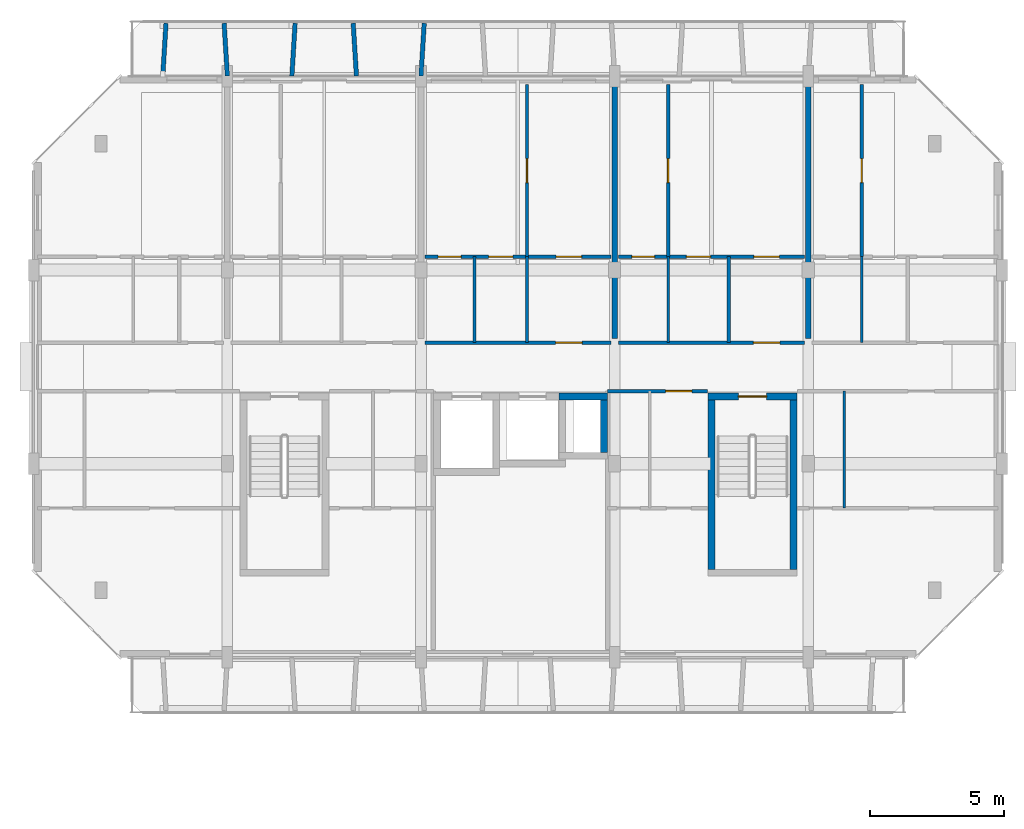
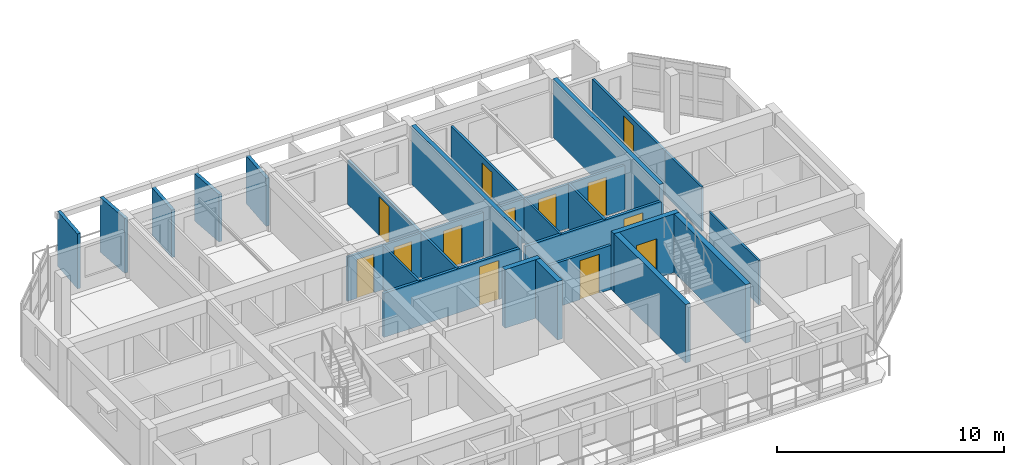
# One storey, part 20 of 40: 26 walls, 13 doors, 13 openings.
"""IFC4 building model written with IfcOpenShell, lengths in metres."""

import ifcopenshell
import ifcopenshell.guid

model = None  # the IFC model being written
_history = None  # IfcOwnerHistory: only IFC2X3 demands one
_inside = {}  # id of a spatial element -> (the spatial element, [elements in it])
_under = {}  # id of a project, library or spatial element -> (it, [spatial elements below it])
_declared = {}  # id of a project -> (the project, [libraries it declares])
_typed = {}  # id of a type object -> (the type object, [elements of that type])
_made_of = {}  # id of a material, layer set ... -> (it, [elements and type objects made of it])


def new_model(schema):
    """Start an empty IFC model of exactly this schema.

    Asked for "IFC4X3", IfcOpenShell would pick the latest addendum, in which some entities
    have other attributes; the version numbers below select the first issue.
    IFC2X3 requires an IfcOwnerHistory on every rooted entity: one is made here for all.
    """
    global model, _history
    if schema == "IFC4X3":
        model = ifcopenshell.file(schema_version=(4, 3, 0, 0))
    else:
        model = ifcopenshell.file(schema=schema)
    _inside.clear()
    _under.clear()
    _declared.clear()
    _typed.clear()
    _made_of.clear()
    _history = None
    if model.schema == "IFC2X3":
        org = make("IfcOrganization", Name="unknown")
        user = make(
            "IfcPersonAndOrganization",
            ThePerson=make("IfcPerson", FamilyName="unknown"),
            TheOrganization=org,
        )
        app = make(
            "IfcApplication",
            ApplicationDeveloper=org,
            Version="unknown",
            ApplicationFullName="unknown",
            ApplicationIdentifier="unknown",
        )
        _history = make(
            "IfcOwnerHistory",
            OwningUser=user,
            OwningApplication=app,
            ChangeAction="ADDED",
            CreationDate=0,
        )
    return model


def make(cls, **values):
    """One entity of the class cls with the attributes given. An attribute that is None is left unset."""
    return model.create_entity(
        cls, **{name: value for name, value in values.items() if value is not None}
    )


def rooted(cls, **values):
    """An entity with a GlobalId (a new one), such as an element, a storey or a relation."""
    return make(cls, GlobalId=ifcopenshell.guid.new(), OwnerHistory=_history, **values)


def si_unit(unit_type, name, prefix=None):
    """IfcSIUnit, for example si_unit("LENGTHUNIT", "METRE", prefix="MILLI")."""
    return make("IfcSIUnit", UnitType=unit_type, Prefix=prefix, Name=name)


def assignment(units):
    """IfcUnitAssignment: the units of a project."""
    return None if units is None else make("IfcUnitAssignment", Units=units)


def point(xyz):
    """IfcCartesianPoint."""
    return None if xyz is None else make("IfcCartesianPoint", Coordinates=xyz)


def direction(xyz):
    """IfcDirection."""
    return None if xyz is None else make("IfcDirection", DirectionRatios=xyz)


def frame(location, z_axis=None, x_axis=None):
    """IfcAxis2Placement3D, a coordinate frame: its origin and axes. An axis left out is left unset."""
    return make(
        "IfcAxis2Placement3D",
        Location=point(location),
        Axis=direction(z_axis),
        RefDirection=direction(x_axis),
    )


def frame_2d(location, x_axis=None):
    """IfcAxis2Placement2D, a coordinate frame in the plane: its origin and x axis."""
    return make(
        "IfcAxis2Placement2D", Location=point(location), RefDirection=direction(x_axis)
    )


def origin():
    """The frame at (0, 0, 0) with its axes left unset."""
    return frame((0.0, 0.0, 0.0))


def place(relative_to, where):
    """IfcLocalPlacement: puts the frame where relative to a parent placement (None: the world)."""
    return make(
        "IfcLocalPlacement", PlacementRelTo=relative_to, RelativePlacement=where
    )


def context(
    kind, dimensions, precision=None, world=None, true_north=None, identifier=None
):
    """IfcGeometricRepresentationContext, for example the 3D "Model" context."""
    return make(
        "IfcGeometricRepresentationContext",
        ContextIdentifier=identifier,
        ContextType=kind,
        CoordinateSpaceDimension=dimensions,
        Precision=precision,
        WorldCoordinateSystem=world,
        TrueNorth=true_north,
    )


def subcontext(parent, identifier, kind, view, scale=None):
    """IfcGeometricRepresentationSubContext, for example "Body" below "Model"."""
    return make(
        "IfcGeometricRepresentationSubContext",
        ContextIdentifier=identifier,
        ContextType=kind,
        ParentContext=parent,
        TargetScale=scale,
        TargetView=view,
    )


def project(units=None, contexts=None):
    """IfcProject with its units and contexts."""
    return rooted(
        "IfcProject",
        Name="project",
        RepresentationContexts=contexts,
        UnitsInContext=assignment(units),
    )


def spatial(cls, under=None, at=None, **own):
    """A site, building, storey or space (cls), placed at a placement, below another one or the project."""
    s = rooted(cls, ObjectPlacement=at, **own)
    if under is not None:
        _under.setdefault(under.id(), (under, []))[1].append(s)
    return s


def profile(cls, at=None, kind="AREA", **sizes):
    """A parametric profile (cls). Its sizes go by their IFC names, for example OverallWidth=200.0."""
    return make(cls, ProfileType=kind, Position=at, **sizes)


def rectangle(**sizes):
    """IfcRectangleProfileDef."""
    return profile("IfcRectangleProfileDef", **sizes)


def extrude(swept, where, along, depth):
    """IfcExtrudedAreaSolid: the profile swept, set in the frame where, extruded along a direction by depth."""
    return make(
        "IfcExtrudedAreaSolid",
        SweptArea=swept,
        Position=where,
        ExtrudedDirection=direction(along),
        Depth=depth,
    )


def shape(context_of_items, identifier, shape_type, items):
    """IfcShapeRepresentation: the items that make up one representation, for example the "Body"."""
    return make(
        "IfcShapeRepresentation",
        ContextOfItems=context_of_items,
        RepresentationIdentifier=identifier,
        RepresentationType=shape_type,
        Items=items,
    )


def material(Name=None, Category=None):
    """IfcMaterial."""
    return make("IfcMaterial", Name=Name, Category=Category)


def layer(
    of_material, thickness, ventilated=None, Name=None, Category=None, Priority=None
):
    """IfcMaterialLayer: one layer of a wall or slab, of a material (None: an air gap)."""
    return make(
        "IfcMaterialLayer",
        Material=of_material,
        LayerThickness=thickness,
        IsVentilated=ventilated,
        Name=Name,
        Category=Category,
        Priority=Priority,
    )


def layer_set(layers, Name=None):
    """IfcMaterialLayerSet."""
    return make("IfcMaterialLayerSet", MaterialLayers=layers, LayerSetName=Name)


def made_of(thing, what):
    """Note that an element or type object is made of a material, layer set ...; save() writes the relation."""
    if what is not None:
        _made_of.setdefault(what.id(), (what, []))[1].append(thing)
    return thing


def type_object(cls, material=None, **own):
    """A type object (cls), such as IfcWallType, which elements share."""
    return made_of(rooted(cls, **own), material)


def element(
    cls,
    number,
    at=None,
    inside=None,
    cuts=None,
    type_object=None,
    material=None,
    context=None,
    identifier="Body",
    shape_type=None,
    held_by="IfcProductDefinitionShape",
    body=None,
    shapes=None,
    **own,
):
    """One element of the class cls, such as IfcWall. Its Tag is "e" and its number.

    at: its placement. inside: the storey or other place that contains it. cuts: it is an
    opening in that element (IfcRelVoidsElement). A single representation is given by context,
    identifier, shape_type and body (its items); several are given by shapes. held_by: the class
    of the entity that holds the representations. save() writes the other relations.
    """
    e = rooted(cls, Tag="e%d" % number, ObjectPlacement=at, **own)
    if body is not None:
        shapes = [shape(context, identifier, shape_type, body)]
    if shapes is not None:
        e.Representation = make(held_by, Representations=shapes)
    if inside is not None:
        _inside.setdefault(inside.id(), (inside, []))[1].append(e)
    if cuts is not None:
        rooted(
            "IfcRelVoidsElement", RelatingBuildingElement=cuts, RelatedOpeningElement=e
        )
    if type_object is not None:
        _typed.setdefault(type_object.id(), (type_object, []))[1].append(e)
    return made_of(e, material)


def fill(opening, filler):
    """IfcRelFillsElement: the door or window that sits in an opening."""
    return rooted(
        "IfcRelFillsElement",
        RelatingOpeningElement=opening,
        RelatedBuildingElement=filler,
    )


def aggregate(whole, parts):
    """IfcRelAggregates: a whole, such as a stair, and the parts it consists of."""
    return rooted("IfcRelAggregates", RelatingObject=whole, RelatedObjects=parts)


def save(model, path):
    """Write the relations noted so far, then the file.

    IfcRelAggregates (storeys below a building ...), IfcRelContainedInSpatialStructure (elements
    in a storey), IfcRelDefinesByType, IfcRelAssociatesMaterial and IfcRelDeclares: one each for
    every whole, place, type object, material and project.
    """
    for whole, parts in _under.values():
        aggregate(whole, parts)
    for where, things in _inside.values():
        rooted(
            "IfcRelContainedInSpatialStructure",
            RelatedElements=things,
            RelatingStructure=where,
        )
    for kind, things in _typed.values():
        rooted("IfcRelDefinesByType", RelatedObjects=things, RelatingType=kind)
    for what, things in _made_of.values():
        rooted("IfcRelAssociatesMaterial", RelatedObjects=things, RelatingMaterial=what)
    for by, libraries in _declared.values():
        rooted("IfcRelDeclares", RelatingContext=by, RelatedDefinitions=libraries)
    model.write(path)


model = new_model("IFC4")

# Units and contexts
model_context = context("Model", 3, precision=1e-05, world=origin(), true_north=direction((0.0, 1.0)))
body_context = subcontext(model_context, "Body", "Model", "MODEL_VIEW")
ifc_project = project(units=[si_unit("LENGTHUNIT", "METRE"), si_unit("AREAUNIT", "SQUARE_METRE"), si_unit("VOLUMEUNIT", "CUBIC_METRE"), si_unit("PLANEANGLEUNIT", "RADIAN"), si_unit("MASSUNIT", "GRAM", prefix="KILO")], contexts=[model_context])

# Site, building, storey
site_placement = place(None, origin())
site = spatial("IfcSite", under=ifc_project, at=site_placement, CompositionType="ELEMENT")
building_placement = place(site_placement, origin())
building = spatial("IfcBuilding", under=site, at=building_placement, Name="Ochrevale Crest", CompositionType="ELEMENT")
storey_placement = place(building_placement, frame((0.0, 0.0, 27.60009765625)))
storey = spatial("IfcBuildingStorey", under=building, at=storey_placement, Name="L08", CompositionType="ELEMENT", Elevation=27.60009765625)

# Wall, opening, door
ifc_material_1 = material(Name="Gypsum plasterboard", Category="gypsum")
ifc_layer_1 = layer(ifc_material_1, 0.139892578125)
ifc_layer_set_1 = layer_set([ifc_layer_1], Name="Gypsum plasterboard")
wall_type_1 = type_object("IfcWallType", Name="WL-COR-140", PredefinedType="PARTITIONING", material=ifc_layer_set_1)
wall_1_placement = place(storey_placement, frame((14.5400390625, 83.699951171875, 0.0), z_axis=(0.0, 0.0, 1.0), x_axis=(1.0, 0.0, 0.0)))
wall_1 = element("IfcWall", 1, at=wall_1_placement, inside=storey, type_object=wall_type_1, Name="Apartment B-L08-U3 corridor wall", PredefinedType="PARTITIONING", context=body_context, shape_type="SweptSolid", body=[
    extrude(rectangle(XDim=6.919921875, YDim=0.139892578125, at=frame_2d((3.4599609375, 0.0))), origin(), (0.0, 0.0, 1.0), 2.3798828125),
])
opening_1_placement = place(wall_1_placement, frame((5.85009765625, 0.0, 0.0), z_axis=(0.0, 0.0, 1.0), x_axis=(-1.0, 0.0, 0.0)))
opening_1 = element("IfcOpeningElement", 2, at=opening_1_placement, cuts=wall_1, Name="Opening FD01", PredefinedType="OPENING", context=body_context, shape_type="SweptSolid", body=[
    extrude(rectangle(XDim=0.97998046875, YDim=2.10009765625, at=frame_2d((0.489990234375, 1.050048828125))), frame((0.0, 0.080078125, 0.0), z_axis=(0.0, -1.0, 0.0), x_axis=(1.0, 0.0, 0.0)), (0.0, 0.0, 1.0), 0.159912109375),
])
ifc_material_2 = material(Name="Solid-core FSC hardwood", Category="wood")
door_type_1 = type_object("IfcDoorType", Name="DR-APT-950", OperationType="NOTDEFINED", PredefinedType="DOOR", material=ifc_material_2)
door_1_placement = place(opening_1_placement, origin())
door_1 = element("IfcDoor", 3, at=door_1_placement, inside=storey, type_object=door_type_1, Name="Apartment B-L08-U3 entrance door", OperationType="SINGLE_SWING_RIGHT", OverallHeight=2.10009765625, OverallWidth=0.97998046875, PredefinedType="DOOR", context=body_context, shape_type="SweptSolid", body=[
    extrude(rectangle(XDim=0.97998046875, YDim=2.10009765625, at=frame_2d((0.489990234375, 1.050048828125))), frame((0.0, 0.02490234375, 0.0), z_axis=(0.0, -1.0, 0.0), x_axis=(1.0, 0.0, 0.0)), (0.0, 0.0, 1.0), 0.050048828125),
])
fill(opening_1, door_1)

wall_2_placement = place(storey_placement, frame((21.739990234375, 83.699951171875, 0.0), z_axis=(0.0, 0.0, 1.0), x_axis=(1.0, 0.0, 0.0)))
wall_2 = element("IfcWall", 4, at=wall_2_placement, inside=storey, type_object=wall_type_1, Name="Apartment B-L08-U4 corridor wall", PredefinedType="PARTITIONING", context=body_context, shape_type="SweptSolid", body=[
    extrude(rectangle(XDim=6.919921875, YDim=0.139892578125, at=frame_2d((3.4599609375, 0.0))), origin(), (0.0, 0.0, 1.0), 2.3798828125),
])
opening_2_placement = place(wall_2_placement, frame((5.02001953125, 0.0, 0.0)))
opening_2 = element("IfcOpeningElement", 5, at=opening_2_placement, cuts=wall_2, Name="Opening FD01", PredefinedType="OPENING", context=body_context, shape_type="SweptSolid", body=[
    extrude(rectangle(XDim=0.97998046875, YDim=2.10009765625, at=frame_2d((0.489990234375, 1.050048828125))), frame((0.0, 0.080078125, 0.0), z_axis=(0.0, -1.0, 0.0), x_axis=(1.0, 0.0, 0.0)), (0.0, 0.0, 1.0), 0.159912109375),
])
door_2_placement = place(opening_2_placement, origin())
door_2 = element("IfcDoor", 6, at=door_2_placement, inside=storey, type_object=door_type_1, Name="Apartment B-L08-U4 entrance door", OperationType="SINGLE_SWING_LEFT", OverallHeight=2.10009765625, OverallWidth=0.97998046875, PredefinedType="DOOR", context=body_context, shape_type="SweptSolid", body=[
    extrude(rectangle(XDim=0.97998046875, YDim=2.10009765625, at=frame_2d((0.489990234375, 1.050048828125))), frame((0.0, 0.02490234375, 0.0), z_axis=(0.0, -1.0, 0.0), x_axis=(1.0, 0.0, 0.0)), (0.0, 0.0, 1.0), 0.050048828125),
])
fill(opening_2, door_2)

wall_3_placement = place(storey_placement, frame((21.340087890625, 81.89990234375, 0.0), z_axis=(0.0, 0.0, 1.0), x_axis=(1.0, 0.0, 0.0)))
wall_3 = element("IfcWall", 7, at=wall_3_placement, inside=storey, type_object=wall_type_1, Name="Suite B-L08-ME corridor wall", PredefinedType="PARTITIONING", context=body_context, shape_type="SweptSolid", body=[
    extrude(rectangle(XDim=3.719970703125, YDim=0.139892578125, at=frame_2d((1.85986328125, 0.0))), origin(), (0.0, 0.0, 1.0), 2.3798828125),
])
opening_3_placement = place(wall_3_placement, frame((2.151123046875, 0.0, 0.0)))
opening_3 = element("IfcOpeningElement", 8, at=opening_3_placement, cuts=wall_3, Name="Opening FD01", PredefinedType="OPENING", context=body_context, shape_type="SweptSolid", body=[
    extrude(rectangle(XDim=0.97998046875, YDim=2.10009765625, at=frame_2d((0.489990234375, 1.050048828125))), frame((0.0, 0.080078125, 0.0), z_axis=(0.0, -1.0, 0.0), x_axis=(1.0, 0.0, 0.0)), (0.0, 0.0, 1.0), 0.159912109375),
])
door_3_placement = place(opening_3_placement, origin())
door_3 = element("IfcDoor", 9, at=door_3_placement, inside=storey, type_object=door_type_1, Name="Suite B-L08-ME entrance door", OperationType="SINGLE_SWING_LEFT", OverallHeight=2.10009765625, OverallWidth=0.97998046875, PredefinedType="DOOR", context=body_context, shape_type="SweptSolid", body=[
    extrude(rectangle(XDim=0.97998046875, YDim=2.10009765625, at=frame_2d((0.489990234375, 1.050048828125))), frame((0.0, 0.02490234375, 0.0), z_axis=(0.0, -1.0, 0.0), x_axis=(1.0, 0.0, 0.0)), (0.0, 0.0, 1.0), 0.050048828125),
])
fill(opening_3, door_3)

ifc_material_3 = material(Name="Precast concrete C50/60", Category="concrete")
ifc_layer_2 = layer(ifc_material_3, 0.2548828125)
ifc_layer_set_2 = layer_set([ifc_layer_2], Name="Precast concrete C50/60")
wall_type_2 = type_object("IfcWallType", Name="WL-CORE-255", PredefinedType="SHEAR", material=ifc_layer_set_2)
wall_4_placement = place(storey_placement, frame((25.072509765625, 81.699951171875, 0.0), z_axis=(0.0, 0.0, 1.0), x_axis=(1.0, 0.0, 0.0)))
wall_4 = element("IfcWall", 10, at=wall_4_placement, inside=storey, type_object=wall_type_2, Name="Block B L08 Stair 2 precast core shear wall N", PredefinedType="SHEAR", context=body_context, shape_type="SweptSolid", body=[
    extrude(rectangle(XDim=3.304931640625, YDim=0.2548828125, at=frame_2d((1.65234375, 0.0))), origin(), (0.0, 0.0, 1.0), 3.14990234375),
])
opening_4_placement = place(wall_4_placement, frame((1.12744140625, 0.0, 0.0)))
opening_4 = element("IfcOpeningElement", 11, at=opening_4_placement, cuts=wall_4, Name="Opening FD03", PredefinedType="OPENING", context=body_context, shape_type="SweptSolid", body=[
    extrude(rectangle(XDim=1.050048828125, YDim=2.1201171875, at=frame_2d((0.52490234375, 1.06005859375))), frame((0.0, 0.137451171875, 0.0), z_axis=(0.0, -1.0, 0.0), x_axis=(1.0, 0.0, 0.0)), (0.0, 0.0, 1.0), 0.27490234375),
])
door_type_2 = type_object("IfcDoorType", Name="DR-ST-1050", OperationType="NOTDEFINED", PredefinedType="DOOR", material=ifc_material_2)
door_4_placement = place(opening_4_placement, origin())
door_4 = element("IfcDoor", 12, at=door_4_placement, inside=storey, type_object=door_type_2, Name="Block B L08 fire stair 2 door", OperationType="SINGLE_SWING_LEFT", OverallHeight=2.1201171875, OverallWidth=1.050048828125, PredefinedType="DOOR", context=body_context, shape_type="SweptSolid", body=[
    extrude(rectangle(XDim=1.050048828125, YDim=2.1201171875, at=frame_2d((0.52490234375, 1.06005859375))), frame((0.0, 0.02490234375, 0.0), z_axis=(0.0, -1.0, 0.0), x_axis=(1.0, 0.0, 0.0)), (0.0, 0.0, 1.0), 0.050048828125),
])
fill(opening_4, door_4)

# Walls
for number, where, z_axis, x_axis, name in (
    (13, (25.199951171875, 75.277587890625, 0.0), (0.0, 0.0, 1.0), (0.0, 1.0, 0.0), "Block B L08 Stair 2 precast core shear wall W"),
    (14, (28.25, 75.277587890625, 0.0), (0.0, 0.0, 1.0), (0.0, 1.0, 0.0), "Block B L08 Stair 2 precast core shear wall E"),
):
    element("IfcWall", number, at=place(storey_placement, frame(where, z_axis=z_axis, x_axis=x_axis)), inside=storey, type_object=wall_type_2, Name=name, PredefinedType="SHEAR", context=body_context, shape_type="SweptSolid", body=[
        extrude(rectangle(XDim=6.294921875, YDim=0.2548828125, at=frame_2d((3.1474609375, 0.0))), origin(), (0.0, 0.0, 1.0), 3.14990234375),
    ])
wall_5_placement = place(storey_placement, frame((19.5224609375, 81.699951171875, 0.0), z_axis=(0.0, 0.0, 1.0), x_axis=(1.0, 0.0, 0.0)))
element("IfcWall", 15, at=wall_5_placement, inside=storey, type_object=wall_type_2, Name="Block B L08 services riser shaft core wall N", PredefinedType="SHEAR", context=body_context, shape_type="SweptSolid", body=[
    extrude(rectangle(XDim=1.804931640625, YDim=0.2548828125, at=frame_2d((0.90234375, 0.0))), origin(), (0.0, 0.0, 1.0), 3.14990234375),
])
wall_6_placement = place(storey_placement, frame((21.199951171875, 79.62744140625, 0.0), z_axis=(0.0, 0.0, 1.0), x_axis=(0.0, 1.0, 0.0)))
element("IfcWall", 16, at=wall_6_placement, inside=storey, type_object=wall_type_2, Name="Block B L08 services riser shaft core wall E", PredefinedType="SHEAR", context=body_context, shape_type="SweptSolid", body=[
    extrude(rectangle(XDim=1.945068359375, YDim=0.2548828125, at=frame_2d((0.97265625, 0.0))), origin(), (0.0, 0.0, 1.0), 3.14990234375),
])
ifc_material_4 = material(Name="Precast concrete C40/50", Category="concrete")
ifc_layer_3 = layer(ifc_material_4, 0.1650390625)
ifc_layer_set_3 = layer_set([ifc_layer_3], Name="Precast concrete C40/50")
wall_type_3 = type_object("IfcWallType", Name="WL-HC-CHEEK-165", PredefinedType="ELEMENTEDWALL", material=ifc_layer_set_3)
for number, where, z_axis, x_axis, name in (
    (17, (4.800048828125, 93.6201171875, 0.0), (0.0, 0.0, 1.0), (0.061046865508, 0.998134900808, 0.0), "Block B L08 N precast honeycomb cheek 1"),
    (18, (7.199951171875, 93.6201171875, 0.0), (0.0, 0.0, 1.0), (-0.061046865508, 0.998134900808, 0.0), "Block B L08 N precast honeycomb cheek 2"),
):
    element("IfcWall", number, at=place(storey_placement, frame(where, z_axis=z_axis, x_axis=x_axis)), inside=storey, type_object=wall_type_3, Name=name, PredefinedType="ELEMENTEDWALL", context=body_context, shape_type="SweptSolid", body=[
        extrude(rectangle(XDim=1.963623046875, YDim=0.1650390625, at=frame_2d((0.98193359375, 0.0))), origin(), (0.0, 0.0, 1.0), 2.949951171875),
    ])
for number, where, z_axis, x_axis, name in (
    (19, (9.60009765625, 93.6201171875, 0.0), (0.0, 0.0, 1.0), (0.061046865508, 0.998134900808, 0.0), "Block B L08 N precast honeycomb cheek 3"),
    (20, (12.0, 93.6201171875, 0.0), (0.0, 0.0, 1.0), (-0.061170732449, 0.998127317276, 0.0), "Block B L08 N precast honeycomb cheek 4"),
):
    element("IfcWall", number, at=place(storey_placement, frame(where, z_axis=z_axis, x_axis=x_axis)), inside=storey, type_object=wall_type_3, Name=name, PredefinedType="ELEMENTEDWALL", context=body_context, shape_type="SweptSolid", body=[
        extrude(rectangle(XDim=1.963623046875, YDim=0.1650390625, at=frame_2d((0.98193359375, 0.0))), origin(), (0.0, 0.0, 1.0), 2.5498046875),
    ])
wall_7_placement = place(storey_placement, frame((14.39990234375, 93.6201171875, 0.0), z_axis=(0.0, 0.0, 1.0), x_axis=(0.061170732449, 0.998127317276, 0.0)))
element("IfcWall", 21, at=wall_7_placement, inside=storey, type_object=wall_type_3, Name="Block B L08 N precast honeycomb cheek 5", PredefinedType="ELEMENTEDWALL", context=body_context, shape_type="SweptSolid", body=[
    extrude(rectangle(XDim=1.963623046875, YDim=0.1650390625, at=frame_2d((0.98193359375, 0.0))), origin(), (0.0, 0.0, 1.0), 2.579833984375),
])
ifc_layer_4 = layer(ifc_material_1, 0.1201171875)
ifc_layer_set_4 = layer_set([ifc_layer_4], Name="Gypsum plasterboard")
wall_type_4 = type_object("IfcWallType", Name="WL-PART-120", PredefinedType="PARTITIONING", material=ifc_layer_set_4)
wall_8_placement = place(storey_placement, frame((18.340087890625, 83.699951171875, 0.0), z_axis=(0.0, 0.0, 1.0), x_axis=(0.0, 1.0, 0.0)))
element("IfcWall", 22, at=wall_8_placement, inside=storey, type_object=wall_type_4, Name="Apartment B-L08-U3 kitchen-foyer wall", PredefinedType="PARTITIONING", context=body_context, shape_type="SweptSolid", body=[
    extrude(rectangle(XDim=3.199951171875, YDim=0.1201171875, at=frame_2d((1.60009765625, 0.0))), origin(), (0.0, 0.0, 1.0), 2.3798828125),
])

# Wall, openings, doors
wall_9_placement = place(storey_placement, frame((14.5400390625, 86.89990234375, 0.0), z_axis=(0.0, 0.0, 1.0), x_axis=(1.0, 0.0, 0.0)))
wall_9 = element("IfcWall", 23, at=wall_9_placement, inside=storey, type_object=wall_type_4, Name="Apartment B-L08-U3 central partition", PredefinedType="PARTITIONING", context=body_context, shape_type="SweptSolid", body=[
    extrude(rectangle(XDim=6.919921875, YDim=0.1201171875, at=frame_2d((3.4599609375, 0.0))), origin(), (0.0, 0.0, 1.0), 2.3798828125),
])
opening_5_placement = place(wall_9_placement, frame((0.5, 0.0, 0.0)))
opening_5 = element("IfcOpeningElement", 24, at=opening_5_placement, cuts=wall_9, Name="Opening ID01", PredefinedType="OPENING", context=body_context, shape_type="SweptSolid", body=[
    extrude(rectangle(XDim=0.85009765625, YDim=2.080078125, at=frame_2d((0.425048828125, 1.0400390625))), frame((0.0, 0.070068359375, 0.0), z_axis=(0.0, -1.0, 0.0), x_axis=(1.0, 0.0, 0.0)), (0.0, 0.0, 1.0), 0.14013671875),
])
opening_6_placement = place(wall_9_placement, frame((3.27490234375, 0.0, 0.0), z_axis=(0.0, 0.0, 1.0), x_axis=(-1.0, 0.0, 0.0)))
opening_6 = element("IfcOpeningElement", 25, at=opening_6_placement, cuts=wall_9, Name="Opening ID02", PredefinedType="OPENING", context=body_context, shape_type="SweptSolid", body=[
    extrude(rectangle(XDim=0.89990234375, YDim=2.080078125, at=frame_2d((0.449951171875, 1.0400390625))), frame((0.0, 0.070068359375, 0.0), z_axis=(0.0, -1.0, 0.0), x_axis=(1.0, 0.0, 0.0)), (0.0, 0.0, 1.0), 0.14013671875),
])
opening_7_placement = place(wall_9_placement, frame((4.885009765625, 0.0, 0.0)))
opening_7 = element("IfcOpeningElement", 26, at=opening_7_placement, cuts=wall_9, Name="Opening ID06", PredefinedType="OPENING", context=body_context, shape_type="SweptSolid", body=[
    extrude(rectangle(XDim=0.949951171875, YDim=2.080078125, at=frame_2d((0.47509765625, 1.0400390625))), frame((0.0, 0.070068359375, 0.0), z_axis=(0.0, -1.0, 0.0), x_axis=(1.0, 0.0, 0.0)), (0.0, 0.0, 1.0), 0.14013671875),
])
door_type_3 = type_object("IfcDoorType", Name="DR-INT-900", OperationType="NOTDEFINED", PredefinedType="DOOR", material=ifc_material_2)
door_5_placement = place(opening_6_placement, origin())
door_5 = element("IfcDoor", 27, at=door_5_placement, inside=storey, type_object=door_type_3, Name="Apartment B-L08-U3 Kitchen door", OperationType="SINGLE_SWING_RIGHT", OverallHeight=2.080078125, OverallWidth=0.89990234375, PredefinedType="DOOR", context=body_context, shape_type="SweptSolid", body=[
    extrude(rectangle(XDim=0.89990234375, YDim=2.080078125, at=frame_2d((0.449951171875, 1.0400390625))), frame((0.0, 0.02490234375, 0.0), z_axis=(0.0, -1.0, 0.0), x_axis=(1.0, 0.0, 0.0)), (0.0, 0.0, 1.0), 0.050048828125),
])
fill(opening_6, door_5)
door_type_4 = type_object("IfcDoorType", Name="DR-INT-950", OperationType="NOTDEFINED", PredefinedType="DOOR", material=ifc_material_2)
door_6_placement = place(opening_7_placement, origin())
door_6 = element("IfcDoor", 28, at=door_6_placement, inside=storey, type_object=door_type_4, Name="Apartment B-L08-U3 Living Foyer door", OperationType="SINGLE_SWING_LEFT", OverallHeight=2.080078125, OverallWidth=0.949951171875, PredefinedType="DOOR", context=body_context, shape_type="SweptSolid", body=[
    extrude(rectangle(XDim=0.949951171875, YDim=2.080078125, at=frame_2d((0.47509765625, 1.0400390625))), frame((0.0, 0.02490234375, 0.0), z_axis=(0.0, -1.0, 0.0), x_axis=(1.0, 0.0, 0.0)), (0.0, 0.0, 1.0), 0.050048828125),
])
fill(opening_7, door_6)
door_type_5 = type_object("IfcDoorType", Name="DR-WC-850", OperationType="NOTDEFINED", PredefinedType="DOOR", material=ifc_material_2)
door_7_placement = place(opening_5_placement, origin())
door_7 = element("IfcDoor", 29, at=door_7_placement, inside=storey, type_object=door_type_5, Name="Apartment B-L08-U3 Bathroom door", OperationType="SINGLE_SWING_LEFT", OverallHeight=2.080078125, OverallWidth=0.85009765625, PredefinedType="DOOR", context=body_context, shape_type="SweptSolid", body=[
    extrude(rectangle(XDim=0.85009765625, YDim=2.080078125, at=frame_2d((0.425048828125, 1.0400390625))), frame((0.0, 0.02490234375, 0.0), z_axis=(0.0, -1.0, 0.0), x_axis=(1.0, 0.0, 0.0)), (0.0, 0.0, 1.0), 0.050048828125),
])
fill(opening_5, door_7)

# Wall, opening, door
wall_10_placement = place(storey_placement, frame((18.340087890625, 86.89990234375, 0.0), z_axis=(0.0, 0.0, 1.0), x_axis=(0.0, 1.0, 0.0)))
wall_10 = element("IfcWall", 30, at=wall_10_placement, inside=storey, type_object=wall_type_4, Name="Apartment B-L08-U3 bedroom partition", PredefinedType="PARTITIONING", context=body_context, shape_type="SweptSolid", body=[
    extrude(rectangle(XDim=6.400146484375, YDim=0.1201171875, at=frame_2d((3.2001953125, 0.0))), origin(), (0.0, 0.0, 1.0), 2.3798828125),
])
opening_8_placement = place(wall_10_placement, frame((3.64990234375, 0.0, 0.0), z_axis=(0.0, 0.0, 1.0), x_axis=(-1.0, 0.0, 0.0)))
opening_8 = element("IfcOpeningElement", 31, at=opening_8_placement, cuts=wall_10, Name="Opening ID02", PredefinedType="OPENING", context=body_context, shape_type="SweptSolid", body=[
    extrude(rectangle(XDim=0.89990234375, YDim=2.080078125, at=frame_2d((0.449951171875, 1.0400390625))), frame((0.0, 0.070068359375, 0.0), z_axis=(0.0, -1.0, 0.0), x_axis=(1.0, 0.0, 0.0)), (0.0, 0.0, 1.0), 0.14013671875),
])
door_8_placement = place(opening_8_placement, origin())
door_8 = element("IfcDoor", 32, at=door_8_placement, inside=storey, type_object=door_type_3, Name="Apartment B-L08-U3 Master Bedroom door", OperationType="SINGLE_SWING_RIGHT", OverallHeight=2.080078125, OverallWidth=0.89990234375, PredefinedType="DOOR", context=body_context, shape_type="SweptSolid", body=[
    extrude(rectangle(XDim=0.89990234375, YDim=2.080078125, at=frame_2d((0.449951171875, 1.0400390625))), frame((0.0, 0.02490234375, 0.0), z_axis=(0.0, -1.0, 0.0), x_axis=(1.0, 0.0, 0.0)), (0.0, 0.0, 1.0), 0.050048828125),
])
fill(opening_8, door_8)

# Wall
wall_11_placement = place(storey_placement, frame((25.840087890625, 83.699951171875, 0.0), z_axis=(0.0, 0.0, 1.0), x_axis=(0.0, 1.0, 0.0)))
element("IfcWall", 33, at=wall_11_placement, inside=storey, type_object=wall_type_4, Name="Apartment B-L08-U4 kitchen-foyer wall", PredefinedType="PARTITIONING", context=body_context, shape_type="SweptSolid", body=[
    extrude(rectangle(XDim=3.199951171875, YDim=0.1201171875, at=frame_2d((1.60009765625, 0.0))), origin(), (0.0, 0.0, 1.0), 2.3798828125),
])

# Wall, openings, doors
wall_12_placement = place(storey_placement, frame((21.739990234375, 86.89990234375, 0.0), z_axis=(0.0, 0.0, 1.0), x_axis=(1.0, 0.0, 0.0)))
wall_12 = element("IfcWall", 34, at=wall_12_placement, inside=storey, type_object=wall_type_4, Name="Apartment B-L08-U4 central partition", PredefinedType="PARTITIONING", context=body_context, shape_type="SweptSolid", body=[
    extrude(rectangle(XDim=6.919921875, YDim=0.1201171875, at=frame_2d((3.4599609375, 0.0))), origin(), (0.0, 0.0, 1.0), 2.3798828125),
])
opening_9_placement = place(wall_12_placement, frame((1.35009765625, 0.0, 0.0), z_axis=(0.0, 0.0, 1.0), x_axis=(-1.0, 0.0, 0.0)))
opening_9 = element("IfcOpeningElement", 35, at=opening_9_placement, cuts=wall_12, Name="Opening ID01", PredefinedType="OPENING", context=body_context, shape_type="SweptSolid", body=[
    extrude(rectangle(XDim=0.85009765625, YDim=2.080078125, at=frame_2d((0.425048828125, 1.0400390625))), frame((0.0, 0.070068359375, 0.0), z_axis=(0.0, -1.0, 0.0), x_axis=(1.0, 0.0, 0.0)), (0.0, 0.0, 1.0), 0.14013671875),
])
opening_10_placement = place(wall_12_placement, frame((2.52490234375, 0.0, 0.0)))
opening_10 = element("IfcOpeningElement", 36, at=opening_10_placement, cuts=wall_12, Name="Opening ID02", PredefinedType="OPENING", context=body_context, shape_type="SweptSolid", body=[
    extrude(rectangle(XDim=0.89990234375, YDim=2.080078125, at=frame_2d((0.449951171875, 1.0400390625))), frame((0.0, 0.070068359375, 0.0), z_axis=(0.0, -1.0, 0.0), x_axis=(1.0, 0.0, 0.0)), (0.0, 0.0, 1.0), 0.14013671875),
])
opening_11_placement = place(wall_12_placement, frame((5.98486328125, 0.0, 0.0), z_axis=(0.0, 0.0, 1.0), x_axis=(-1.0, 0.0, 0.0)))
opening_11 = element("IfcOpeningElement", 37, at=opening_11_placement, cuts=wall_12, Name="Opening ID06", PredefinedType="OPENING", context=body_context, shape_type="SweptSolid", body=[
    extrude(rectangle(XDim=0.949951171875, YDim=2.080078125, at=frame_2d((0.47509765625, 1.0400390625))), frame((0.0, 0.070068359375, 0.0), z_axis=(0.0, -1.0, 0.0), x_axis=(1.0, 0.0, 0.0)), (0.0, 0.0, 1.0), 0.14013671875),
])
door_9_placement = place(opening_10_placement, origin())
door_9 = element("IfcDoor", 38, at=door_9_placement, inside=storey, type_object=door_type_3, Name="Apartment B-L08-U4 Kitchen door", OperationType="SINGLE_SWING_LEFT", OverallHeight=2.080078125, OverallWidth=0.89990234375, PredefinedType="DOOR", context=body_context, shape_type="SweptSolid", body=[
    extrude(rectangle(XDim=0.89990234375, YDim=2.080078125, at=frame_2d((0.449951171875, 1.0400390625))), frame((0.0, 0.02490234375, 0.0), z_axis=(0.0, -1.0, 0.0), x_axis=(1.0, 0.0, 0.0)), (0.0, 0.0, 1.0), 0.050048828125),
])
fill(opening_10, door_9)
door_10_placement = place(opening_11_placement, origin())
door_10 = element("IfcDoor", 39, at=door_10_placement, inside=storey, type_object=door_type_4, Name="Apartment B-L08-U4 Living Foyer door", OperationType="SINGLE_SWING_RIGHT", OverallHeight=2.080078125, OverallWidth=0.949951171875, PredefinedType="DOOR", context=body_context, shape_type="SweptSolid", body=[
    extrude(rectangle(XDim=0.949951171875, YDim=2.080078125, at=frame_2d((0.47509765625, 1.0400390625))), frame((0.0, 0.02490234375, 0.0), z_axis=(0.0, -1.0, 0.0), x_axis=(1.0, 0.0, 0.0)), (0.0, 0.0, 1.0), 0.050048828125),
])
fill(opening_11, door_10)
door_11_placement = place(opening_9_placement, origin())
door_11 = element("IfcDoor", 40, at=door_11_placement, inside=storey, type_object=door_type_5, Name="Apartment B-L08-U4 Bathroom door", OperationType="SINGLE_SWING_RIGHT", OverallHeight=2.080078125, OverallWidth=0.85009765625, PredefinedType="DOOR", context=body_context, shape_type="SweptSolid", body=[
    extrude(rectangle(XDim=0.85009765625, YDim=2.080078125, at=frame_2d((0.425048828125, 1.0400390625))), frame((0.0, 0.02490234375, 0.0), z_axis=(0.0, -1.0, 0.0), x_axis=(1.0, 0.0, 0.0)), (0.0, 0.0, 1.0), 0.050048828125),
])
fill(opening_9, door_11)

# Wall, opening, door
wall_13_placement = place(storey_placement, frame((23.590087890625, 86.89990234375, 0.0), z_axis=(0.0, 0.0, 1.0), x_axis=(0.0, 1.0, 0.0)))
wall_13 = element("IfcWall", 41, at=wall_13_placement, inside=storey, type_object=wall_type_4, Name="Apartment B-L08-U4 bedroom partition", PredefinedType="PARTITIONING", context=body_context, shape_type="SweptSolid", body=[
    extrude(rectangle(XDim=6.400146484375, YDim=0.1201171875, at=frame_2d((3.2001953125, 0.0))), origin(), (0.0, 0.0, 1.0), 2.3798828125),
])
opening_12_placement = place(wall_13_placement, frame((2.75, 0.0, 0.0)))
opening_12 = element("IfcOpeningElement", 42, at=opening_12_placement, cuts=wall_13, Name="Opening ID02", PredefinedType="OPENING", context=body_context, shape_type="SweptSolid", body=[
    extrude(rectangle(XDim=0.89990234375, YDim=2.080078125, at=frame_2d((0.449951171875, 1.0400390625))), frame((0.0, 0.070068359375, 0.0), z_axis=(0.0, -1.0, 0.0), x_axis=(1.0, 0.0, 0.0)), (0.0, 0.0, 1.0), 0.14013671875),
])
door_12_placement = place(opening_12_placement, origin())
door_12 = element("IfcDoor", 43, at=door_12_placement, inside=storey, type_object=door_type_3, Name="Apartment B-L08-U4 Twin Bedroom door", OperationType="SINGLE_SWING_LEFT", OverallHeight=2.080078125, OverallWidth=0.89990234375, PredefinedType="DOOR", context=body_context, shape_type="SweptSolid", body=[
    extrude(rectangle(XDim=0.89990234375, YDim=2.080078125, at=frame_2d((0.449951171875, 1.0400390625))), frame((0.0, 0.02490234375, 0.0), z_axis=(0.0, -1.0, 0.0), x_axis=(1.0, 0.0, 0.0)), (0.0, 0.0, 1.0), 0.050048828125),
])
fill(opening_12, door_12)

wall_14_placement = place(storey_placement, frame((30.7900390625, 86.89990234375, 0.0), z_axis=(0.0, 0.0, 1.0), x_axis=(0.0, 1.0, 0.0)))
wall_14 = element("IfcWall", 44, at=wall_14_placement, inside=storey, type_object=wall_type_4, Name="Apartment B-L08-U5 bedroom partition", PredefinedType="PARTITIONING", context=body_context, shape_type="SweptSolid", body=[
    extrude(rectangle(XDim=6.400146484375, YDim=0.1201171875, at=frame_2d((3.2001953125, 0.0))), origin(), (0.0, 0.0, 1.0), 2.3798828125),
])
opening_13_placement = place(wall_14_placement, frame((3.64990234375, 0.0, 0.0), z_axis=(0.0, 0.0, 1.0), x_axis=(-1.0, 0.0, 0.0)))
opening_13 = element("IfcOpeningElement", 45, at=opening_13_placement, cuts=wall_14, Name="Opening ID02", PredefinedType="OPENING", context=body_context, shape_type="SweptSolid", body=[
    extrude(rectangle(XDim=0.89990234375, YDim=2.080078125, at=frame_2d((0.449951171875, 1.0400390625))), frame((0.0, 0.070068359375, 0.0), z_axis=(0.0, -1.0, 0.0), x_axis=(1.0, 0.0, 0.0)), (0.0, 0.0, 1.0), 0.14013671875),
])
door_13_placement = place(opening_13_placement, origin())
door_13 = element("IfcDoor", 46, at=door_13_placement, inside=storey, type_object=door_type_3, Name="Apartment B-L08-U5 Double Bedroom door", OperationType="SINGLE_SWING_RIGHT", OverallHeight=2.080078125, OverallWidth=0.89990234375, PredefinedType="DOOR", context=body_context, shape_type="SweptSolid", body=[
    extrude(rectangle(XDim=0.89990234375, YDim=2.080078125, at=frame_2d((0.449951171875, 1.0400390625))), frame((0.0, 0.02490234375, 0.0), z_axis=(0.0, -1.0, 0.0), x_axis=(1.0, 0.0, 0.0)), (0.0, 0.0, 1.0), 0.050048828125),
])
fill(opening_13, door_13)

# Walls
ifc_layer_5 = layer(ifc_material_4, 0.2099609375)
ifc_layer_set_5 = layer_set([ifc_layer_5], Name="Precast concrete C40/50")
wall_type_5 = type_object("IfcWallType", Name="WL-SHEAR-210", PredefinedType="SHEAR", material=ifc_layer_set_5)
for number, where, z_axis, x_axis, name in (
    (47, (21.60009765625, 83.85009765625, 0.0), (0.0, 0.0, 1.0), (0.0, 1.0, 0.0), "Block B L08 load-bearing precast cross-wall X=21.6"),
    (48, (28.800048828125, 83.85009765625, 0.0), (0.0, 0.0, 1.0), (0.0, 1.0, 0.0), "Block B L08 load-bearing precast cross-wall X=28.8"),
):
    element("IfcWall", number, at=place(storey_placement, frame(where, z_axis=z_axis, x_axis=x_axis)), inside=storey, type_object=wall_type_5, Name=name, PredefinedType="SHEAR", context=body_context, shape_type="SweptSolid", body=[
        extrude(rectangle(XDim=9.39990234375, YDim=0.2099609375, at=frame_2d((4.699951171875, 0.0))), origin(), (0.0, 0.0, 1.0), 3.14990234375),
    ])
ifc_layer_6 = layer(ifc_material_1, 0.10009765625)
ifc_layer_set_6 = layer_set([ifc_layer_6], Name="Gypsum plasterboard")
wall_type_6 = type_object("IfcWallType", Name="WL-WET-100", PredefinedType="PARTITIONING", material=ifc_layer_set_6)
for number, where, z_axis, x_axis, name in (
    (49, (16.389892578125, 83.699951171875, 0.0), (0.0, 0.0, 1.0), (0.0, 1.0, 0.0), "Apartment B-L08-U3 bath-kitchen wall"),
    (50, (23.590087890625, 83.699951171875, 0.0), (0.0, 0.0, 1.0), (0.0, 1.0, 0.0), "Apartment B-L08-U4 bath-kitchen wall"),
    (51, (30.7900390625, 83.699951171875, 0.0), (0.0, 0.0, 1.0), (0.0, 1.0, 0.0), "Apartment B-L08-U5 bath-kitchen wall"),
):
    element("IfcWall", number, at=place(storey_placement, frame(where, z_axis=z_axis, x_axis=x_axis)), inside=storey, type_object=wall_type_6, Name=name, PredefinedType="PARTITIONING", context=body_context, shape_type="SweptSolid", body=[
        extrude(rectangle(XDim=3.199951171875, YDim=0.10009765625, at=frame_2d((1.60009765625, 0.0))), origin(), (0.0, 0.0, 1.0), 2.3798828125),
    ])
wall_15_placement = place(storey_placement, frame((30.139892578125, 77.550048828125, 0.0), z_axis=(0.0, 0.0, 1.0), x_axis=(0.0, 1.0, 0.0)))
element("IfcWall", 52, at=wall_15_placement, inside=storey, type_object=wall_type_6, Name="Suite B-L08-CE bathroom divider", PredefinedType="PARTITIONING", context=body_context, shape_type="SweptSolid", body=[
    extrude(rectangle(XDim=4.349853515625, YDim=0.10009765625, at=frame_2d((2.1748046875, 0.0))), origin(), (0.0, 0.0, 1.0), 2.3798828125),
])

save(model, "model.ifc")
